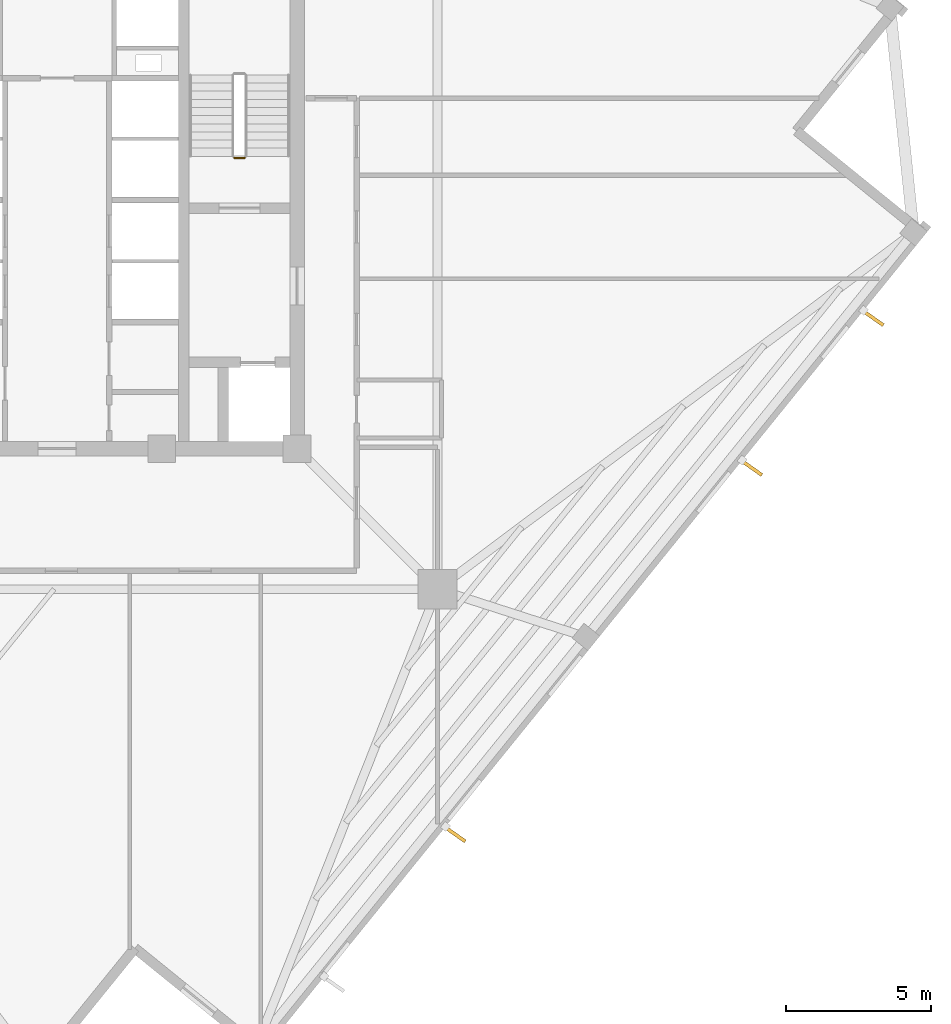
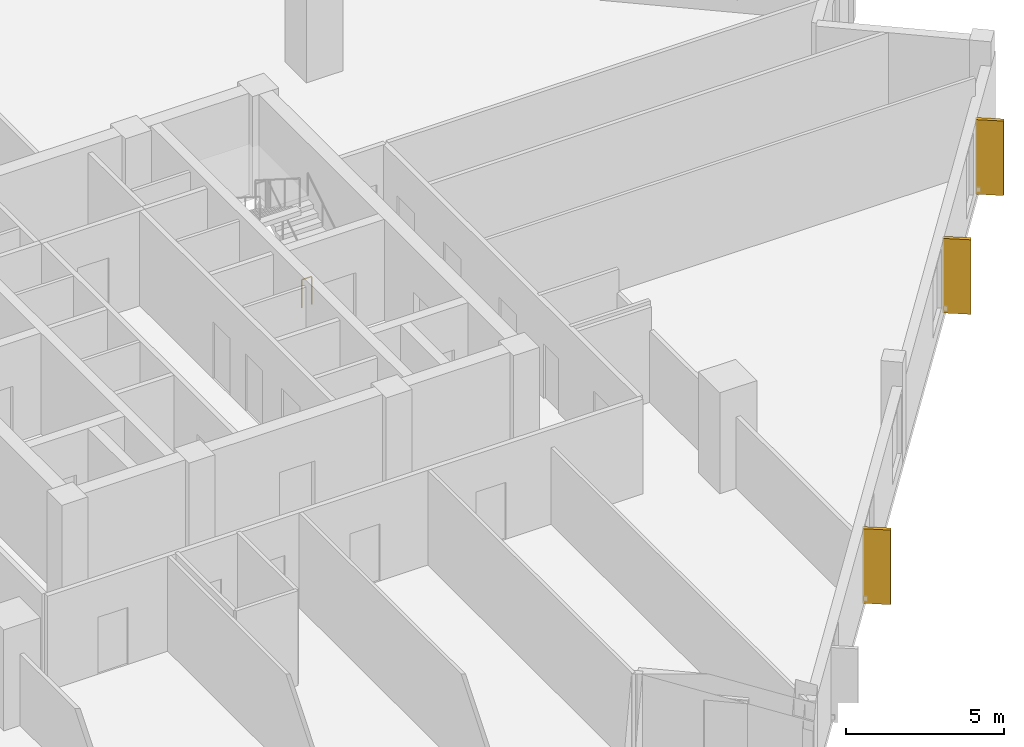
# One storey, part 8 of 10: 3 coverings, 1 railing.
"""IFC4 building model written with IfcOpenShell, lengths in metres."""

from ifc_helpers import new_model, si_unit, direction, frame, origin, origin_2d, place, context, subcontext, project, spatial, rectangle, circle, extrude, source, transform, mapped, material, layer, layer_set, type_object, element, save


model = new_model("IFC4")

# Units and contexts
model_context = context("Model", 3, precision=1e-05, world=origin(), true_north=direction((0.0, 1.0)))
body_context = subcontext(model_context, "Body", "Model", "MODEL_VIEW")
ifc_project = project(units=[si_unit("LENGTHUNIT", "METRE"), si_unit("AREAUNIT", "SQUARE_METRE"), si_unit("VOLUMEUNIT", "CUBIC_METRE"), si_unit("PLANEANGLEUNIT", "RADIAN"), si_unit("MASSUNIT", "GRAM", prefix="KILO"), si_unit("THERMODYNAMICTEMPERATUREUNIT", "KELVIN")], contexts=[model_context])

# Site, building, storey
site_placement = place(None, origin())
site = spatial("IfcSite", under=ifc_project, at=site_placement, CompositionType="ELEMENT")
building_placement = place(site_placement, origin())
building = spatial("IfcBuilding", under=site, at=building_placement, Name="Kosmvard Interchange Tower", CompositionType="ELEMENT")
storey_placement = place(building_placement, frame((0.0, 0.0, 205.60009765625)))
storey = spatial("IfcBuildingStorey", under=building, at=storey_placement, Name="L49", CompositionType="ELEMENT", Elevation=205.60009765625)

# Coverings
ifc_material_1 = material(Name="Architectural anodised aluminium", Category="aluminium")
ifc_layer = layer(ifc_material_1, 0.1201171875, Name="Architectural anodised aluminium")
ifc_layer_set = layer_set([ifc_layer], Name="Architectural anodised aluminium")
covering_type = type_object("IfcCoveringType", Name="Rotating Vertical Sun-Breaker Fin 900x120 Aluminium", PredefinedType="CLADDING", material=ifc_layer_set)
shared_shape_1 = source(origin(), body_context, "Body", "SweptSolid", [
    extrude(rectangle(XDim=0.89990234375, YDim=0.1201171875, at=origin_2d()), origin(), (0.0, 0.0, 1.0), 2.8798828125),
])
for number, where, z_axis, x_axis, name in (
    (1, (13.66748046875, -21.49658203125, 0.0400390625), (0.0, 0.0, 1.0), (0.817446605564, -0.576004381105, 0.0), "L49 Rotating Vertical Sun-Breaker Fin 02"),
    (2, (23.86865234375, -8.8994140625, 0.0400390625), (0.0, 0.0, 1.0), (0.817446605564, -0.576004381105, 0.0), "L49 Rotating Vertical Sun-Breaker Fin 03"),
    (3, (28.041748046875, -3.74609375, 0.0400390625), (0.0, 0.0, 1.0), (0.817446605564, -0.576004381105, 0.0), "L49 Rotating Vertical Sun-Breaker Fin 04"),
):
    element("IfcCovering", number, at=place(storey_placement, frame(where, z_axis=z_axis, x_axis=x_axis)), inside=storey, type_object=covering_type, Name=name, PredefinedType="CLADDING", context=body_context, shape_type="MappedRepresentation", body=[
        mapped(shared_shape_1, transform((0.0, 0.0, 0.0), scale=1.0)),
    ])

# Railing
ifc_material_2 = material(Name="Steel S355", Category="steel")
railing_type = type_object("IfcRailingType", Name="Stair & Terrace Safety Guardrail 1100 Steel", PredefinedType="GUARDRAIL", material=ifc_material_2)
shared_shape_2 = source(origin(), body_context, "Body", "SweptSolid", [
    extrude(circle(Radius=0.02392578125, at=origin_2d()), frame((0.0, 0.0, 1.076171875), z_axis=(-1.0, 0.0, 0.0), x_axis=(0.0, -1.0, 0.0)), (0.0, 0.0, 1.0), 0.35986328125),
    extrude(circle(Radius=0.02099609375, at=origin_2d()), origin(), (0.0, 0.0, 1.0), 1.052001953125),
    extrude(circle(Radius=0.02099609375, at=origin_2d()), frame((-0.35986328125, 0.0, 0.0)), (0.0, 0.0, 1.0), 1.052001953125),
])
railing_placement = place(storey_placement, frame((6.449951171875, 1.75, 0.0)))
element("IfcRailing", 4, at=railing_placement, inside=storey, type_object=railing_type, Name="L49 ST-2 stair guard 4", PredefinedType="GUARDRAIL", context=body_context, shape_type="MappedRepresentation", body=[
    mapped(shared_shape_2, transform((0.0, 0.0, 0.0), scale=1.0)),
])

save(model, "model.ifc")
